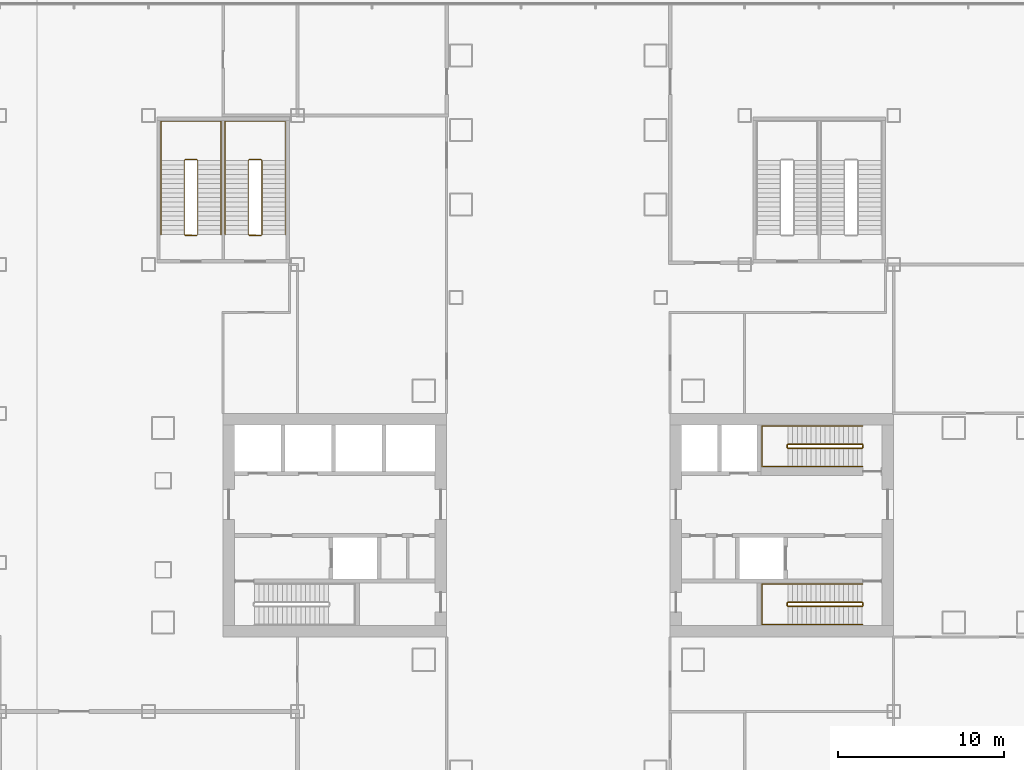
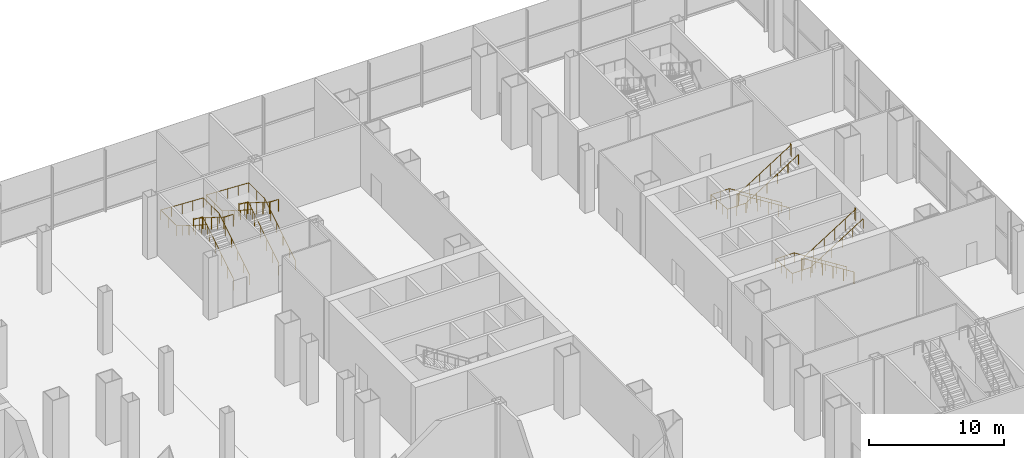
# One storey, part 37 of 38: 8 railings.
"""IFC4 building model written with IfcOpenShell, lengths in metres."""

from ifc_helpers import new_model, si_unit, direction, frame, origin, origin_2d, place, context, subcontext, project, spatial, circle, extrude, material, type_object, element, save


model = new_model("IFC4")

# Units and contexts
model_context = context("Model", 3, precision=1e-05, world=origin(), true_north=direction((0.0, 1.0)))
body_context = subcontext(model_context, "Body", "Model", "MODEL_VIEW")
ifc_project = project(units=[si_unit("LENGTHUNIT", "METRE"), si_unit("AREAUNIT", "SQUARE_METRE"), si_unit("VOLUMEUNIT", "CUBIC_METRE"), si_unit("PLANEANGLEUNIT", "RADIAN"), si_unit("MASSUNIT", "GRAM", prefix="KILO")], contexts=[model_context])

# Site, building, storey
site_placement = place(None, origin())
site = spatial("IfcSite", under=ifc_project, at=site_placement, CompositionType="ELEMENT")
building_placement = place(site_placement, origin())
building = spatial("IfcBuilding", under=site, at=building_placement, Name="Shamsa Quay Exchange Towers", CompositionType="ELEMENT")
storey_placement = place(building_placement, frame((0.0, 0.0, 12.5)))
storey = spatial("IfcBuildingStorey", under=building, at=storey_placement, Name="L02", CompositionType="ELEMENT", Elevation=12.5)

# Railings
ifc_material = material(Name="Stainless steel", Category="steel")
railing_type_1 = type_object("IfcRailingType", Name="STAIR GUARD 1100", PredefinedType="GUARDRAIL", material=ifc_material)
railing_1_placement = place(storey_placement, frame((52.10009765625, -4.64990234375, 0.176513671875)))
element("IfcRailing", 1, at=railing_1_placement, inside=storey, type_object=railing_type_1, Name="L02 ST5 stair guard 1", PredefinedType="GUARDRAIL", context=body_context, shape_type="SweptSolid", body=[
    extrude(circle(Radius=0.02392578125, at=origin_2d()), frame((0.0, 0.0, 1.076171875), z_axis=(-0.845997938375, 0.0, 0.533186166611), x_axis=(0.0, -1.0, 0.0)), (0.0, 0.0, 1.0), 5.29541015625),
    extrude(circle(Radius=0.02392578125, at=origin_2d()), frame((-4.47998046875, 0.0, 3.8994140625), z_axis=(-0.707106781187, -0.707106781187, 0.0), x_axis=(0.707106781187, -0.707106781187, 0.0)), (0.0, 0.0, 1.0), 0.07080078125),
    extrude(circle(Radius=0.02392578125, at=origin_2d()), frame((-4.530029296875, -0.050048828125, 3.8994140625), z_axis=(0.0, -1.0, 0.0), x_axis=(1.0, 0.0, 0.0)), (0.0, 0.0, 1.0), 0.150146484375),
    extrude(circle(Radius=0.02392578125, at=origin_2d()), frame((-4.530029296875, -0.2001953125, 3.8994140625), z_axis=(0.263260079301, -0.261975883792, 0.928473352853), x_axis=(0.705375805398, 0.708833529934, 0.0)), (0.0, 0.0, 1.0), 0.190185546875),
    extrude(circle(Radius=0.02392578125, at=origin_2d()), frame((-4.47998046875, -0.25, 4.076171875), z_axis=(0.845997938375, 0.0, 0.533186166611), x_axis=(0.0, 1.0, 0.0)), (0.0, 0.0, 1.0), 5.29541015625),
    extrude(circle(Radius=0.02392578125, at=origin_2d()), frame((0.0, -0.25, 6.8994140625), z_axis=(0.241699205484, 0.970351222016, 0.0), x_axis=(-0.970351222016, 0.241699205484, 0.0)), (0.0, 0.0, 1.0), 0.2060546875),
    extrude(circle(Radius=0.02392578125, at=origin_2d()), frame((0.0498046875, -0.050048828125, 6.8994140625), z_axis=(0.0, -1.0, 0.0), x_axis=(1.0, 0.0, 0.0)), (0.0, 0.0, 1.0), 0.150146484375),
    extrude(circle(Radius=0.02099609375, at=origin_2d()), origin(), (0.0, 0.0, 1.0), 1.052001953125),
    extrude(circle(Radius=0.02099609375, at=origin_2d()), frame((-0.89599609375, 0.0, 0.564697265625)), (0.0, 0.0, 1.0), 1.052001953125),
    extrude(circle(Radius=0.02099609375, at=origin_2d()), frame((-1.7919921875, 0.0, 1.12939453125)), (0.0, 0.0, 1.0), 1.052001953125),
    extrude(circle(Radius=0.02099609375, at=origin_2d()), frame((-2.68798828125, 0.0, 1.694091796875)), (0.0, 0.0, 1.0), 1.052001953125),
    extrude(circle(Radius=0.02099609375, at=origin_2d()), frame((-3.583984375, 0.0, 2.2587890625)), (0.0, 0.0, 1.0), 1.052001953125),
    extrude(circle(Radius=0.02099609375, at=origin_2d()), frame((-4.47998046875, 0.0, 2.823486328125)), (0.0, 0.0, 1.0), 1.052001953125),
    extrude(circle(Radius=0.02099609375, at=origin_2d()), frame((-4.530029296875, -0.050048828125, 2.823486328125)), (0.0, 0.0, 1.0), 1.052001953125),
    extrude(circle(Radius=0.02099609375, at=origin_2d()), frame((-4.530029296875, -0.2001953125, 2.823486328125)), (0.0, 0.0, 1.0), 1.052001953125),
    extrude(circle(Radius=0.02099609375, at=origin_2d()), frame((-4.47998046875, -0.25, 3.0)), (0.0, 0.0, 1.0), 1.052001953125),
    extrude(circle(Radius=0.02099609375, at=origin_2d()), frame((-3.583984375, -0.25, 3.564697265625)), (0.0, 0.0, 1.0), 1.052001953125),
    extrude(circle(Radius=0.02099609375, at=origin_2d()), frame((-2.68798828125, -0.25, 4.12939453125)), (0.0, 0.0, 1.0), 1.052001953125),
    extrude(circle(Radius=0.02099609375, at=origin_2d()), frame((-1.7919921875, -0.25, 4.694091796875)), (0.0, 0.0, 1.0), 1.052001953125),
    extrude(circle(Radius=0.02099609375, at=origin_2d()), frame((-0.89599609375, -0.25, 5.2587890625)), (0.0, 0.0, 1.0), 1.052001953125),
    extrude(circle(Radius=0.02099609375, at=origin_2d()), frame((0.0, -0.25, 5.823486328125)), (0.0, 0.0, 1.0), 1.052001953125),
    extrude(circle(Radius=0.02099609375, at=origin_2d()), frame((0.0498046875, -0.050048828125, 5.823486328125)), (0.0, 0.0, 1.0), 1.052001953125),
    extrude(circle(Radius=0.02099609375, at=origin_2d()), frame((0.0498046875, -0.2001953125, 5.823486328125)), (0.0, 0.0, 1.0), 1.052001953125),
])
railing_2_placement = place(storey_placement, frame((52.10009765625, 4.89990234375, 0.176513671875)))
element("IfcRailing", 2, at=railing_2_placement, inside=storey, type_object=railing_type_1, Name="L02 ST6 stair guard 1", PredefinedType="GUARDRAIL", context=body_context, shape_type="SweptSolid", body=[
    extrude(circle(Radius=0.02392578125, at=origin_2d()), frame((0.0, 0.0, 1.076171875), z_axis=(-0.845997938375, 0.0, 0.533186166611), x_axis=(0.0, -1.0, 0.0)), (0.0, 0.0, 1.0), 5.29541015625),
    extrude(circle(Radius=0.02392578125, at=origin_2d()), frame((-4.47998046875, 0.0, 3.8994140625), z_axis=(-0.708833529934, -0.705375805398, 0.0), x_axis=(0.705375805398, -0.708833529934, 0.0)), (0.0, 0.0, 1.0), 0.070556640625),
    extrude(circle(Radius=0.02392578125, at=origin_2d()), frame((-4.530029296875, -0.0498046875, 3.8994140625), z_axis=(0.0, -1.0, 0.0), x_axis=(1.0, 0.0, 0.0)), (0.0, 0.0, 1.0), 0.150146484375),
    extrude(circle(Radius=0.02392578125, at=origin_2d()), frame((-4.530029296875, -0.199951171875, 3.8994140625), z_axis=(0.263171338983, -0.263171338983, 0.928160380902), x_axis=(0.707106781187, 0.707106781187, 0.0)), (0.0, 0.0, 1.0), 0.190185546875),
    extrude(circle(Radius=0.02392578125, at=origin_2d()), frame((-4.47998046875, -0.25, 4.076171875), z_axis=(0.845997938375, 0.0, 0.533186166611), x_axis=(0.0, 1.0, 0.0)), (0.0, 0.0, 1.0), 5.29541015625),
    extrude(circle(Radius=0.02392578125, at=origin_2d()), frame((0.0, -0.25, 6.8994140625), z_axis=(0.24142163986, 0.970420317083, 0.0), x_axis=(-0.970420317083, 0.24142163986, 0.0)), (0.0, 0.0, 1.0), 0.206298828125),
    extrude(circle(Radius=0.02392578125, at=origin_2d()), frame((0.0498046875, -0.0498046875, 6.8994140625), z_axis=(0.0, -1.0, 0.0), x_axis=(1.0, 0.0, 0.0)), (0.0, 0.0, 1.0), 0.150146484375),
    extrude(circle(Radius=0.02099609375, at=origin_2d()), origin(), (0.0, 0.0, 1.0), 1.052001953125),
    extrude(circle(Radius=0.02099609375, at=origin_2d()), frame((-0.89599609375, 0.0, 0.564697265625)), (0.0, 0.0, 1.0), 1.052001953125),
    extrude(circle(Radius=0.02099609375, at=origin_2d()), frame((-1.7919921875, 0.0, 1.12939453125)), (0.0, 0.0, 1.0), 1.052001953125),
    extrude(circle(Radius=0.02099609375, at=origin_2d()), frame((-2.68798828125, 0.0, 1.694091796875)), (0.0, 0.0, 1.0), 1.052001953125),
    extrude(circle(Radius=0.02099609375, at=origin_2d()), frame((-3.583984375, 0.0, 2.2587890625)), (0.0, 0.0, 1.0), 1.052001953125),
    extrude(circle(Radius=0.02099609375, at=origin_2d()), frame((-4.47998046875, 0.0, 2.823486328125)), (0.0, 0.0, 1.0), 1.052001953125),
    extrude(circle(Radius=0.02099609375, at=origin_2d()), frame((-4.530029296875, -0.0498046875, 2.823486328125)), (0.0, 0.0, 1.0), 1.052001953125),
    extrude(circle(Radius=0.02099609375, at=origin_2d()), frame((-4.530029296875, -0.199951171875, 2.823486328125)), (0.0, 0.0, 1.0), 1.052001953125),
    extrude(circle(Radius=0.02099609375, at=origin_2d()), frame((-4.47998046875, -0.25, 3.0)), (0.0, 0.0, 1.0), 1.052001953125),
    extrude(circle(Radius=0.02099609375, at=origin_2d()), frame((-3.583984375, -0.25, 3.564697265625)), (0.0, 0.0, 1.0), 1.052001953125),
    extrude(circle(Radius=0.02099609375, at=origin_2d()), frame((-2.68798828125, -0.25, 4.12939453125)), (0.0, 0.0, 1.0), 1.052001953125),
    extrude(circle(Radius=0.02099609375, at=origin_2d()), frame((-1.7919921875, -0.25, 4.694091796875)), (0.0, 0.0, 1.0), 1.052001953125),
    extrude(circle(Radius=0.02099609375, at=origin_2d()), frame((-0.89599609375, -0.25, 5.2587890625)), (0.0, 0.0, 1.0), 1.052001953125),
    extrude(circle(Radius=0.02099609375, at=origin_2d()), frame((0.0, -0.25, 5.823486328125)), (0.0, 0.0, 1.0), 1.052001953125),
    extrude(circle(Radius=0.02099609375, at=origin_2d()), frame((0.0498046875, -0.0498046875, 5.823486328125)), (0.0, 0.0, 1.0), 1.052001953125),
    extrude(circle(Radius=0.02099609375, at=origin_2d()), frame((0.0498046875, -0.199951171875, 5.823486328125)), (0.0, 0.0, 1.0), 1.052001953125),
])
railing_3_placement = place(storey_placement, frame((11.97509765625, 17.550048828125, 0.176513671875)))
element("IfcRailing", 3, at=railing_3_placement, inside=storey, type_object=railing_type_1, Name="L02 PS3A stair guard 1", PredefinedType="GUARDRAIL", context=body_context, shape_type="SweptSolid", body=[
    extrude(circle(Radius=0.02392578125, at=origin_2d()), frame((0.0, 0.0, 1.076171875), z_axis=(0.0, 0.845997938375, 0.533186166611), x_axis=(-1.0, 0.0, 0.0)), (0.0, 0.0, 1.0), 5.29541015625),
    extrude(circle(Radius=0.02392578125, at=origin_2d()), frame((0.0, 4.47998046875, 3.8994140625), z_axis=(-0.707106781187, 0.707106781187, 0.0), x_axis=(-0.707106781187, -0.707106781187, 0.0)), (0.0, 0.0, 1.0), 0.07080078125),
    extrude(circle(Radius=0.02392578125, at=origin_2d()), frame((-0.050048828125, 4.530029296875, 3.8994140625), z_axis=(-1.0, 0.0, 0.0), x_axis=(0.0, -1.0, 0.0)), (0.0, 0.0, 1.0), 0.72509765625),
    extrude(circle(Radius=0.02392578125, at=origin_2d()), frame((-0.775146484375, 4.530029296875, 3.8994140625), z_axis=(-0.263171338983, -0.263171338983, 0.928160380902), x_axis=(0.707106781187, -0.707106781187, 0.0)), (0.0, 0.0, 1.0), 0.190185546875),
    extrude(circle(Radius=0.02392578125, at=origin_2d()), frame((-0.8251953125, 4.47998046875, 4.076171875), z_axis=(0.0, -0.845997938375, 0.533186166611), x_axis=(1.0, 0.0, 0.0)), (0.0, 0.0, 1.0), 5.29541015625),
    extrude(circle(Radius=0.02392578125, at=origin_2d()), frame((-0.8251953125, 0.0, 6.8994140625), z_axis=(0.997922050633, -0.064432762324, 0.0), x_axis=(0.064432762324, 0.997922050633, 0.0)), (0.0, 0.0, 1.0), 0.77685546875),
    extrude(circle(Radius=0.02392578125, at=origin_2d()), frame((-0.050048828125, -0.050048828125, 6.8994140625), z_axis=(-1.0, 0.0, 0.0), x_axis=(0.0, -1.0, 0.0)), (0.0, 0.0, 1.0), 0.72509765625),
    extrude(circle(Radius=0.02099609375, at=origin_2d()), origin(), (0.0, 0.0, 1.0), 1.052001953125),
    extrude(circle(Radius=0.02099609375, at=origin_2d()), frame((0.0, 0.89599609375, 0.564697265625)), (0.0, 0.0, 1.0), 1.052001953125),
    extrude(circle(Radius=0.02099609375, at=origin_2d()), frame((0.0, 1.7919921875, 1.12939453125)), (0.0, 0.0, 1.0), 1.052001953125),
    extrude(circle(Radius=0.02099609375, at=origin_2d()), frame((0.0, 2.68798828125, 1.694091796875)), (0.0, 0.0, 1.0), 1.052001953125),
    extrude(circle(Radius=0.02099609375, at=origin_2d()), frame((0.0, 3.583984375, 2.2587890625)), (0.0, 0.0, 1.0), 1.052001953125),
    extrude(circle(Radius=0.02099609375, at=origin_2d()), frame((0.0, 4.47998046875, 2.823486328125)), (0.0, 0.0, 1.0), 1.052001953125),
    extrude(circle(Radius=0.02099609375, at=origin_2d()), frame((-0.050048828125, 4.530029296875, 2.823486328125)), (0.0, 0.0, 1.0), 1.052001953125),
    extrude(circle(Radius=0.02099609375, at=origin_2d()), frame((-0.775146484375, 4.530029296875, 2.823486328125)), (0.0, 0.0, 1.0), 1.052001953125),
    extrude(circle(Radius=0.02099609375, at=origin_2d()), frame((-0.8251953125, 4.47998046875, 3.0)), (0.0, 0.0, 1.0), 1.052001953125),
    extrude(circle(Radius=0.02099609375, at=origin_2d()), frame((-0.8251953125, 3.583984375, 3.564697265625)), (0.0, 0.0, 1.0), 1.052001953125),
    extrude(circle(Radius=0.02099609375, at=origin_2d()), frame((-0.8251953125, 2.68798828125, 4.12939453125)), (0.0, 0.0, 1.0), 1.052001953125),
    extrude(circle(Radius=0.02099609375, at=origin_2d()), frame((-0.8251953125, 1.7919921875, 4.694091796875)), (0.0, 0.0, 1.0), 1.052001953125),
    extrude(circle(Radius=0.02099609375, at=origin_2d()), frame((-0.8251953125, 0.89599609375, 5.2587890625)), (0.0, 0.0, 1.0), 1.052001953125),
    extrude(circle(Radius=0.02099609375, at=origin_2d()), frame((-0.8251953125, 0.0, 5.823486328125)), (0.0, 0.0, 1.0), 1.052001953125),
    extrude(circle(Radius=0.02099609375, at=origin_2d()), frame((-0.050048828125, -0.050048828125, 5.823486328125)), (0.0, 0.0, 1.0), 1.052001953125),
    extrude(circle(Radius=0.02099609375, at=origin_2d()), frame((-0.775146484375, -0.050048828125, 5.823486328125)), (0.0, 0.0, 1.0), 1.052001953125),
])
railing_4_placement = place(storey_placement, frame((15.85009765625, 17.550048828125, 0.176513671875)))
element("IfcRailing", 4, at=railing_4_placement, inside=storey, type_object=railing_type_1, Name="L02 PS3B stair guard 1", PredefinedType="GUARDRAIL", context=body_context, shape_type="SweptSolid", body=[
    extrude(circle(Radius=0.02392578125, at=origin_2d()), frame((0.0, 0.0, 1.076171875), z_axis=(0.0, 0.845997938375, 0.533186166611), x_axis=(-1.0, 0.0, 0.0)), (0.0, 0.0, 1.0), 5.29541015625),
    extrude(circle(Radius=0.02392578125, at=origin_2d()), frame((0.0, 4.47998046875, 3.8994140625), z_axis=(-0.707106781187, 0.707106781187, 0.0), x_axis=(-0.707106781187, -0.707106781187, 0.0)), (0.0, 0.0, 1.0), 0.07080078125),
    extrude(circle(Radius=0.02392578125, at=origin_2d()), frame((-0.050048828125, 4.530029296875, 3.8994140625), z_axis=(-1.0, 0.0, 0.0), x_axis=(0.0, -1.0, 0.0)), (0.0, 0.0, 1.0), 0.72509765625),
    extrude(circle(Radius=0.02392578125, at=origin_2d()), frame((-0.775146484375, 4.530029296875, 3.8994140625), z_axis=(-0.263171338983, -0.263171338983, 0.928160380902), x_axis=(0.707106781187, -0.707106781187, 0.0)), (0.0, 0.0, 1.0), 0.190185546875),
    extrude(circle(Radius=0.02392578125, at=origin_2d()), frame((-0.8251953125, 4.47998046875, 4.076171875), z_axis=(0.0, -0.845997938375, 0.533186166611), x_axis=(1.0, 0.0, 0.0)), (0.0, 0.0, 1.0), 5.29541015625),
    extrude(circle(Radius=0.02392578125, at=origin_2d()), frame((-0.8251953125, 0.0, 6.8994140625), z_axis=(0.997922050633, -0.064432762324, 0.0), x_axis=(0.064432762324, 0.997922050633, 0.0)), (0.0, 0.0, 1.0), 0.77685546875),
    extrude(circle(Radius=0.02392578125, at=origin_2d()), frame((-0.050048828125, -0.050048828125, 6.8994140625), z_axis=(-1.0, 0.0, 0.0), x_axis=(0.0, -1.0, 0.0)), (0.0, 0.0, 1.0), 0.72509765625),
    extrude(circle(Radius=0.02099609375, at=origin_2d()), origin(), (0.0, 0.0, 1.0), 1.052001953125),
    extrude(circle(Radius=0.02099609375, at=origin_2d()), frame((0.0, 0.89599609375, 0.564697265625)), (0.0, 0.0, 1.0), 1.052001953125),
    extrude(circle(Radius=0.02099609375, at=origin_2d()), frame((0.0, 1.7919921875, 1.12939453125)), (0.0, 0.0, 1.0), 1.052001953125),
    extrude(circle(Radius=0.02099609375, at=origin_2d()), frame((0.0, 2.68798828125, 1.694091796875)), (0.0, 0.0, 1.0), 1.052001953125),
    extrude(circle(Radius=0.02099609375, at=origin_2d()), frame((0.0, 3.583984375, 2.2587890625)), (0.0, 0.0, 1.0), 1.052001953125),
    extrude(circle(Radius=0.02099609375, at=origin_2d()), frame((0.0, 4.47998046875, 2.823486328125)), (0.0, 0.0, 1.0), 1.052001953125),
    extrude(circle(Radius=0.02099609375, at=origin_2d()), frame((-0.050048828125, 4.530029296875, 2.823486328125)), (0.0, 0.0, 1.0), 1.052001953125),
    extrude(circle(Radius=0.02099609375, at=origin_2d()), frame((-0.775146484375, 4.530029296875, 2.823486328125)), (0.0, 0.0, 1.0), 1.052001953125),
    extrude(circle(Radius=0.02099609375, at=origin_2d()), frame((-0.8251953125, 4.47998046875, 3.0)), (0.0, 0.0, 1.0), 1.052001953125),
    extrude(circle(Radius=0.02099609375, at=origin_2d()), frame((-0.8251953125, 3.583984375, 3.564697265625)), (0.0, 0.0, 1.0), 1.052001953125),
    extrude(circle(Radius=0.02099609375, at=origin_2d()), frame((-0.8251953125, 2.68798828125, 4.12939453125)), (0.0, 0.0, 1.0), 1.052001953125),
    extrude(circle(Radius=0.02099609375, at=origin_2d()), frame((-0.8251953125, 1.7919921875, 4.694091796875)), (0.0, 0.0, 1.0), 1.052001953125),
    extrude(circle(Radius=0.02099609375, at=origin_2d()), frame((-0.8251953125, 0.89599609375, 5.2587890625)), (0.0, 0.0, 1.0), 1.052001953125),
    extrude(circle(Radius=0.02099609375, at=origin_2d()), frame((-0.8251953125, 0.0, 5.823486328125)), (0.0, 0.0, 1.0), 1.052001953125),
    extrude(circle(Radius=0.02099609375, at=origin_2d()), frame((-0.050048828125, -0.050048828125, 5.823486328125)), (0.0, 0.0, 1.0), 1.052001953125),
    extrude(circle(Radius=0.02099609375, at=origin_2d()), frame((-0.775146484375, -0.050048828125, 5.823486328125)), (0.0, 0.0, 1.0), 1.052001953125),
])
railing_type_2 = type_object("IfcRailingType", Name="STAIR HANDRAIL 900", PredefinedType="HANDRAIL", material=ifc_material)
railing_5_placement = place(storey_placement, frame((52.10009765625, -3.550048828125, 0.176513671875)))
element("IfcRailing", 5, at=railing_5_placement, inside=storey, type_object=railing_type_2, Name="L02 ST5 stair handrail 1", PredefinedType="HANDRAIL", context=body_context, shape_type="SweptSolid", body=[
    extrude(circle(Radius=0.02392578125, at=origin_2d()), frame((0.0, 0.0, 0.8759765625), z_axis=(-0.845997938375, 0.0, 0.533186166611), x_axis=(0.0, -1.0, 0.0)), (0.0, 0.0, 1.0), 5.29541015625),
    extrude(circle(Radius=0.02392578125, at=origin_2d()), frame((-4.47998046875, 0.0, 3.69921875), z_axis=(-1.0, 0.0, 0.0), x_axis=(0.0, -1.0, 0.0)), (0.0, 0.0, 1.0), 1.570068359375),
    extrude(circle(Radius=0.02392578125, at=origin_2d()), frame((-6.050048828125, 0.0, 3.69921875), z_axis=(0.0, -0.997414615901, 0.071861561265), x_axis=(1.0, 0.0, 0.0)), (0.0, 0.0, 1.0), 2.456298828125),
    extrude(circle(Radius=0.02392578125, at=origin_2d()), frame((-6.050048828125, -2.449951171875, 3.8759765625), z_axis=(1.0, 0.0, 0.0), x_axis=(0.0, 1.0, 0.0)), (0.0, 0.0, 1.0), 1.570068359375),
    extrude(circle(Radius=0.02392578125, at=origin_2d()), frame((-4.47998046875, -2.449951171875, 3.8759765625), z_axis=(0.845997938375, 0.0, 0.533186166611), x_axis=(0.0, 1.0, 0.0)), (0.0, 0.0, 1.0), 5.29541015625),
    extrude(circle(Radius=0.02099609375, at=origin_2d()), origin(), (0.0, 0.0, 1.0), 0.851806640625),
    extrude(circle(Radius=0.02099609375, at=origin_2d()), frame((-0.89599609375, 0.0, 0.564697265625)), (0.0, 0.0, 1.0), 0.851806640625),
    extrude(circle(Radius=0.02099609375, at=origin_2d()), frame((-1.7919921875, 0.0, 1.12939453125)), (0.0, 0.0, 1.0), 0.851806640625),
    extrude(circle(Radius=0.02099609375, at=origin_2d()), frame((-2.68798828125, 0.0, 1.694091796875)), (0.0, 0.0, 1.0), 0.851806640625),
    extrude(circle(Radius=0.02099609375, at=origin_2d()), frame((-3.583984375, 0.0, 2.2587890625)), (0.0, 0.0, 1.0), 0.851806640625),
    extrude(circle(Radius=0.02099609375, at=origin_2d()), frame((-4.47998046875, 0.0, 2.823486328125)), (0.0, 0.0, 1.0), 0.851806640625),
    extrude(circle(Radius=0.02099609375, at=origin_2d()), frame((-5.26513671875, 0.0, 2.823486328125)), (0.0, 0.0, 1.0), 0.851806640625),
    extrude(circle(Radius=0.02099609375, at=origin_2d()), frame((-6.050048828125, 0.0, 2.823486328125)), (0.0, 0.0, 1.0), 0.851806640625),
    extrude(circle(Radius=0.02099609375, at=origin_2d()), frame((-6.050048828125, -0.816650390625, 2.88232421875)), (0.0, 0.0, 1.0), 0.851806640625),
    extrude(circle(Radius=0.02099609375, at=origin_2d()), frame((-6.050048828125, -1.63330078125, 2.941162109375)), (0.0, 0.0, 1.0), 0.851806640625),
    extrude(circle(Radius=0.02099609375, at=origin_2d()), frame((-6.050048828125, -2.449951171875, 3.0)), (0.0, 0.0, 1.0), 0.851806640625),
    extrude(circle(Radius=0.02099609375, at=origin_2d()), frame((-5.26513671875, -2.449951171875, 3.0)), (0.0, 0.0, 1.0), 0.851806640625),
    extrude(circle(Radius=0.02099609375, at=origin_2d()), frame((-4.47998046875, -2.449951171875, 3.0)), (0.0, 0.0, 1.0), 0.851806640625),
    extrude(circle(Radius=0.02099609375, at=origin_2d()), frame((-3.583984375, -2.449951171875, 3.564697265625)), (0.0, 0.0, 1.0), 0.851806640625),
    extrude(circle(Radius=0.02099609375, at=origin_2d()), frame((-2.68798828125, -2.449951171875, 4.12939453125)), (0.0, 0.0, 1.0), 0.851806640625),
    extrude(circle(Radius=0.02099609375, at=origin_2d()), frame((-1.7919921875, -2.449951171875, 4.694091796875)), (0.0, 0.0, 1.0), 0.851806640625),
    extrude(circle(Radius=0.02099609375, at=origin_2d()), frame((-0.89599609375, -2.449951171875, 5.2587890625)), (0.0, 0.0, 1.0), 0.851806640625),
    extrude(circle(Radius=0.02099609375, at=origin_2d()), frame((0.0, -2.449951171875, 5.823486328125)), (0.0, 0.0, 1.0), 0.851806640625),
])
railing_6_placement = place(storey_placement, frame((52.10009765625, 6.0, 0.176513671875)))
element("IfcRailing", 6, at=railing_6_placement, inside=storey, type_object=railing_type_2, Name="L02 ST6 stair handrail 1", PredefinedType="HANDRAIL", context=body_context, shape_type="SweptSolid", body=[
    extrude(circle(Radius=0.02392578125, at=origin_2d()), frame((0.0, 0.0, 0.8759765625), z_axis=(-0.845997938375, 0.0, 0.533186166611), x_axis=(0.0, -1.0, 0.0)), (0.0, 0.0, 1.0), 5.29541015625),
    extrude(circle(Radius=0.02392578125, at=origin_2d()), frame((-4.47998046875, 0.0, 3.69921875), z_axis=(-1.0, 0.0, 0.0), x_axis=(0.0, -1.0, 0.0)), (0.0, 0.0, 1.0), 1.570068359375),
    extrude(circle(Radius=0.02392578125, at=origin_2d()), frame((-6.050048828125, 0.0, 3.69921875), z_axis=(0.0, -0.997414615901, 0.071861561265), x_axis=(1.0, 0.0, 0.0)), (0.0, 0.0, 1.0), 2.456298828125),
    extrude(circle(Radius=0.02392578125, at=origin_2d()), frame((-6.050048828125, -2.449951171875, 3.8759765625), z_axis=(1.0, 0.0, 0.0), x_axis=(0.0, 1.0, 0.0)), (0.0, 0.0, 1.0), 1.570068359375),
    extrude(circle(Radius=0.02392578125, at=origin_2d()), frame((-4.47998046875, -2.449951171875, 3.8759765625), z_axis=(0.845997938375, 0.0, 0.533186166611), x_axis=(0.0, 1.0, 0.0)), (0.0, 0.0, 1.0), 5.29541015625),
    extrude(circle(Radius=0.02099609375, at=origin_2d()), origin(), (0.0, 0.0, 1.0), 0.851806640625),
    extrude(circle(Radius=0.02099609375, at=origin_2d()), frame((-0.89599609375, 0.0, 0.564697265625)), (0.0, 0.0, 1.0), 0.851806640625),
    extrude(circle(Radius=0.02099609375, at=origin_2d()), frame((-1.7919921875, 0.0, 1.12939453125)), (0.0, 0.0, 1.0), 0.851806640625),
    extrude(circle(Radius=0.02099609375, at=origin_2d()), frame((-2.68798828125, 0.0, 1.694091796875)), (0.0, 0.0, 1.0), 0.851806640625),
    extrude(circle(Radius=0.02099609375, at=origin_2d()), frame((-3.583984375, 0.0, 2.2587890625)), (0.0, 0.0, 1.0), 0.851806640625),
    extrude(circle(Radius=0.02099609375, at=origin_2d()), frame((-4.47998046875, 0.0, 2.823486328125)), (0.0, 0.0, 1.0), 0.851806640625),
    extrude(circle(Radius=0.02099609375, at=origin_2d()), frame((-5.26513671875, 0.0, 2.823486328125)), (0.0, 0.0, 1.0), 0.851806640625),
    extrude(circle(Radius=0.02099609375, at=origin_2d()), frame((-6.050048828125, 0.0, 2.823486328125)), (0.0, 0.0, 1.0), 0.851806640625),
    extrude(circle(Radius=0.02099609375, at=origin_2d()), frame((-6.050048828125, -0.816650390625, 2.88232421875)), (0.0, 0.0, 1.0), 0.851806640625),
    extrude(circle(Radius=0.02099609375, at=origin_2d()), frame((-6.050048828125, -1.63330078125, 2.941162109375)), (0.0, 0.0, 1.0), 0.851806640625),
    extrude(circle(Radius=0.02099609375, at=origin_2d()), frame((-6.050048828125, -2.449951171875, 3.0)), (0.0, 0.0, 1.0), 0.851806640625),
    extrude(circle(Radius=0.02099609375, at=origin_2d()), frame((-5.26513671875, -2.449951171875, 3.0)), (0.0, 0.0, 1.0), 0.851806640625),
    extrude(circle(Radius=0.02099609375, at=origin_2d()), frame((-4.47998046875, -2.449951171875, 3.0)), (0.0, 0.0, 1.0), 0.851806640625),
    extrude(circle(Radius=0.02099609375, at=origin_2d()), frame((-3.583984375, -2.449951171875, 3.564697265625)), (0.0, 0.0, 1.0), 0.851806640625),
    extrude(circle(Radius=0.02099609375, at=origin_2d()), frame((-2.68798828125, -2.449951171875, 4.12939453125)), (0.0, 0.0, 1.0), 0.851806640625),
    extrude(circle(Radius=0.02099609375, at=origin_2d()), frame((-1.7919921875, -2.449951171875, 4.694091796875)), (0.0, 0.0, 1.0), 0.851806640625),
    extrude(circle(Radius=0.02099609375, at=origin_2d()), frame((-0.89599609375, -2.449951171875, 5.2587890625)), (0.0, 0.0, 1.0), 0.851806640625),
    extrude(circle(Radius=0.02099609375, at=origin_2d()), frame((0.0, -2.449951171875, 5.823486328125)), (0.0, 0.0, 1.0), 0.851806640625),
])
railing_7_placement = place(storey_placement, frame((13.375, 17.550048828125, 0.176513671875)))
element("IfcRailing", 7, at=railing_7_placement, inside=storey, type_object=railing_type_2, Name="L02 PS3A stair handrail 1", PredefinedType="HANDRAIL", context=body_context, shape_type="SweptSolid", body=[
    extrude(circle(Radius=0.02392578125, at=origin_2d()), frame((0.0, 0.0, 0.8759765625), z_axis=(0.0, 0.845997938375, 0.533186166611), x_axis=(-1.0, 0.0, 0.0)), (0.0, 0.0, 1.0), 5.29541015625),
    extrude(circle(Radius=0.02392578125, at=origin_2d()), frame((0.0, 4.47998046875, 3.69921875), z_axis=(0.0, 1.0, 0.0), x_axis=(-1.0, 0.0, 0.0)), (0.0, 0.0, 1.0), 2.369873046875),
    extrude(circle(Radius=0.02392578125, at=origin_2d()), frame((0.0, 6.849853515625, 3.69921875), z_axis=(-0.998816579144, 0.0, 0.048635801907), x_axis=(0.0, -1.0, 0.0)), (0.0, 0.0, 1.0), 3.62939453125),
    extrude(circle(Radius=0.02392578125, at=origin_2d()), frame((-3.625, 6.849853515625, 3.8759765625), z_axis=(0.0, -1.0, 0.0), x_axis=(1.0, 0.0, 0.0)), (0.0, 0.0, 1.0), 2.369873046875),
    extrude(circle(Radius=0.02392578125, at=origin_2d()), frame((-3.625, 4.47998046875, 3.8759765625), z_axis=(0.0, -0.845997938375, 0.533186166611), x_axis=(1.0, 0.0, 0.0)), (0.0, 0.0, 1.0), 5.29541015625),
    extrude(circle(Radius=0.02099609375, at=origin_2d()), origin(), (0.0, 0.0, 1.0), 0.851806640625),
    extrude(circle(Radius=0.02099609375, at=origin_2d()), frame((0.0, 0.89599609375, 0.564697265625)), (0.0, 0.0, 1.0), 0.851806640625),
    extrude(circle(Radius=0.02099609375, at=origin_2d()), frame((0.0, 1.7919921875, 1.12939453125)), (0.0, 0.0, 1.0), 0.851806640625),
    extrude(circle(Radius=0.02099609375, at=origin_2d()), frame((0.0, 2.68798828125, 1.694091796875)), (0.0, 0.0, 1.0), 0.851806640625),
    extrude(circle(Radius=0.02099609375, at=origin_2d()), frame((0.0, 3.583984375, 2.2587890625)), (0.0, 0.0, 1.0), 0.851806640625),
    extrude(circle(Radius=0.02099609375, at=origin_2d()), frame((0.0, 4.47998046875, 2.823486328125)), (0.0, 0.0, 1.0), 0.851806640625),
    extrude(circle(Radius=0.02099609375, at=origin_2d()), frame((0.0, 5.6650390625, 2.823486328125)), (0.0, 0.0, 1.0), 0.851806640625),
    extrude(circle(Radius=0.02099609375, at=origin_2d()), frame((0.0, 6.849853515625, 2.823486328125)), (0.0, 0.0, 1.0), 0.851806640625),
    extrude(circle(Radius=0.02099609375, at=origin_2d()), frame((-0.90625, 6.849853515625, 2.86767578125)), (0.0, 0.0, 1.0), 0.851806640625),
    extrude(circle(Radius=0.02099609375, at=origin_2d()), frame((-1.8125, 6.849853515625, 2.91162109375)), (0.0, 0.0, 1.0), 0.851806640625),
    extrude(circle(Radius=0.02099609375, at=origin_2d()), frame((-2.71875, 6.849853515625, 2.955810546875)), (0.0, 0.0, 1.0), 0.851806640625),
    extrude(circle(Radius=0.02099609375, at=origin_2d()), frame((-3.625, 6.849853515625, 3.0)), (0.0, 0.0, 1.0), 0.851806640625),
    extrude(circle(Radius=0.02099609375, at=origin_2d()), frame((-3.625, 5.6650390625, 3.0)), (0.0, 0.0, 1.0), 0.851806640625),
    extrude(circle(Radius=0.02099609375, at=origin_2d()), frame((-3.625, 4.47998046875, 3.0)), (0.0, 0.0, 1.0), 0.851806640625),
    extrude(circle(Radius=0.02099609375, at=origin_2d()), frame((-3.625, 3.583984375, 3.564697265625)), (0.0, 0.0, 1.0), 0.851806640625),
    extrude(circle(Radius=0.02099609375, at=origin_2d()), frame((-3.625, 2.68798828125, 4.12939453125)), (0.0, 0.0, 1.0), 0.851806640625),
    extrude(circle(Radius=0.02099609375, at=origin_2d()), frame((-3.625, 1.7919921875, 4.694091796875)), (0.0, 0.0, 1.0), 0.851806640625),
    extrude(circle(Radius=0.02099609375, at=origin_2d()), frame((-3.625, 0.89599609375, 5.2587890625)), (0.0, 0.0, 1.0), 0.851806640625),
    extrude(circle(Radius=0.02099609375, at=origin_2d()), frame((-3.625, 0.0, 5.823486328125)), (0.0, 0.0, 1.0), 0.851806640625),
])
railing_8_placement = place(storey_placement, frame((17.25, 17.550048828125, 0.176513671875)))
element("IfcRailing", 8, at=railing_8_placement, inside=storey, type_object=railing_type_2, Name="L02 PS3B stair handrail 1", PredefinedType="HANDRAIL", context=body_context, shape_type="SweptSolid", body=[
    extrude(circle(Radius=0.02392578125, at=origin_2d()), frame((0.0, 0.0, 0.8759765625), z_axis=(0.0, 0.845997938375, 0.533186166611), x_axis=(-1.0, 0.0, 0.0)), (0.0, 0.0, 1.0), 5.29541015625),
    extrude(circle(Radius=0.02392578125, at=origin_2d()), frame((0.0, 4.47998046875, 3.69921875), z_axis=(0.0, 1.0, 0.0), x_axis=(-1.0, 0.0, 0.0)), (0.0, 0.0, 1.0), 2.369873046875),
    extrude(circle(Radius=0.02392578125, at=origin_2d()), frame((0.0, 6.849853515625, 3.69921875), z_axis=(-0.998816579144, 0.0, 0.048635801907), x_axis=(0.0, -1.0, 0.0)), (0.0, 0.0, 1.0), 3.62939453125),
    extrude(circle(Radius=0.02392578125, at=origin_2d()), frame((-3.625, 6.849853515625, 3.8759765625), z_axis=(0.0, -1.0, 0.0), x_axis=(1.0, 0.0, 0.0)), (0.0, 0.0, 1.0), 2.369873046875),
    extrude(circle(Radius=0.02392578125, at=origin_2d()), frame((-3.625, 4.47998046875, 3.8759765625), z_axis=(0.0, -0.845997938375, 0.533186166611), x_axis=(1.0, 0.0, 0.0)), (0.0, 0.0, 1.0), 5.29541015625),
    extrude(circle(Radius=0.02099609375, at=origin_2d()), origin(), (0.0, 0.0, 1.0), 0.851806640625),
    extrude(circle(Radius=0.02099609375, at=origin_2d()), frame((0.0, 0.89599609375, 0.564697265625)), (0.0, 0.0, 1.0), 0.851806640625),
    extrude(circle(Radius=0.02099609375, at=origin_2d()), frame((0.0, 1.7919921875, 1.12939453125)), (0.0, 0.0, 1.0), 0.851806640625),
    extrude(circle(Radius=0.02099609375, at=origin_2d()), frame((0.0, 2.68798828125, 1.694091796875)), (0.0, 0.0, 1.0), 0.851806640625),
    extrude(circle(Radius=0.02099609375, at=origin_2d()), frame((0.0, 3.583984375, 2.2587890625)), (0.0, 0.0, 1.0), 0.851806640625),
    extrude(circle(Radius=0.02099609375, at=origin_2d()), frame((0.0, 4.47998046875, 2.823486328125)), (0.0, 0.0, 1.0), 0.851806640625),
    extrude(circle(Radius=0.02099609375, at=origin_2d()), frame((0.0, 5.6650390625, 2.823486328125)), (0.0, 0.0, 1.0), 0.851806640625),
    extrude(circle(Radius=0.02099609375, at=origin_2d()), frame((0.0, 6.849853515625, 2.823486328125)), (0.0, 0.0, 1.0), 0.851806640625),
    extrude(circle(Radius=0.02099609375, at=origin_2d()), frame((-0.90625, 6.849853515625, 2.86767578125)), (0.0, 0.0, 1.0), 0.851806640625),
    extrude(circle(Radius=0.02099609375, at=origin_2d()), frame((-1.8125, 6.849853515625, 2.91162109375)), (0.0, 0.0, 1.0), 0.851806640625),
    extrude(circle(Radius=0.02099609375, at=origin_2d()), frame((-2.71875, 6.849853515625, 2.955810546875)), (0.0, 0.0, 1.0), 0.851806640625),
    extrude(circle(Radius=0.02099609375, at=origin_2d()), frame((-3.625, 6.849853515625, 3.0)), (0.0, 0.0, 1.0), 0.851806640625),
    extrude(circle(Radius=0.02099609375, at=origin_2d()), frame((-3.625, 5.6650390625, 3.0)), (0.0, 0.0, 1.0), 0.851806640625),
    extrude(circle(Radius=0.02099609375, at=origin_2d()), frame((-3.625, 4.47998046875, 3.0)), (0.0, 0.0, 1.0), 0.851806640625),
    extrude(circle(Radius=0.02099609375, at=origin_2d()), frame((-3.625, 3.583984375, 3.564697265625)), (0.0, 0.0, 1.0), 0.851806640625),
    extrude(circle(Radius=0.02099609375, at=origin_2d()), frame((-3.625, 2.68798828125, 4.12939453125)), (0.0, 0.0, 1.0), 0.851806640625),
    extrude(circle(Radius=0.02099609375, at=origin_2d()), frame((-3.625, 1.7919921875, 4.694091796875)), (0.0, 0.0, 1.0), 0.851806640625),
    extrude(circle(Radius=0.02099609375, at=origin_2d()), frame((-3.625, 0.89599609375, 5.2587890625)), (0.0, 0.0, 1.0), 0.851806640625),
    extrude(circle(Radius=0.02099609375, at=origin_2d()), frame((-3.625, 0.0, 5.823486328125)), (0.0, 0.0, 1.0), 0.851806640625),
])

save(model, "model.ifc")
